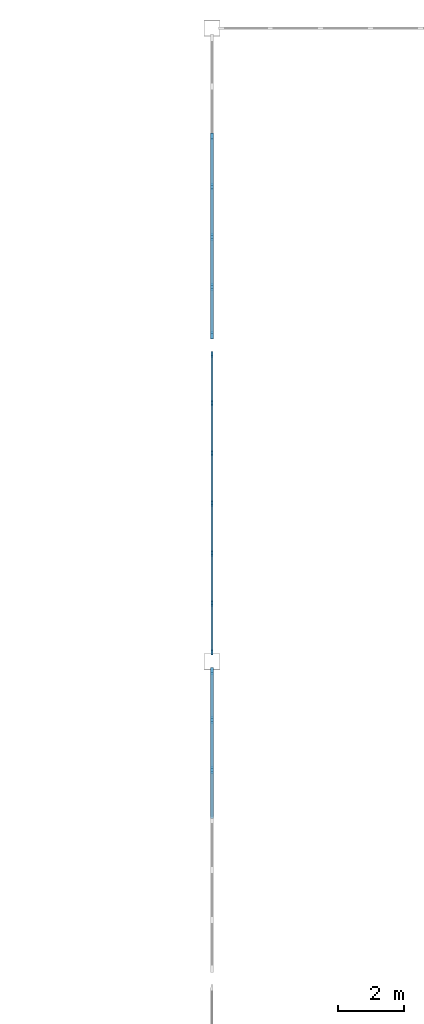
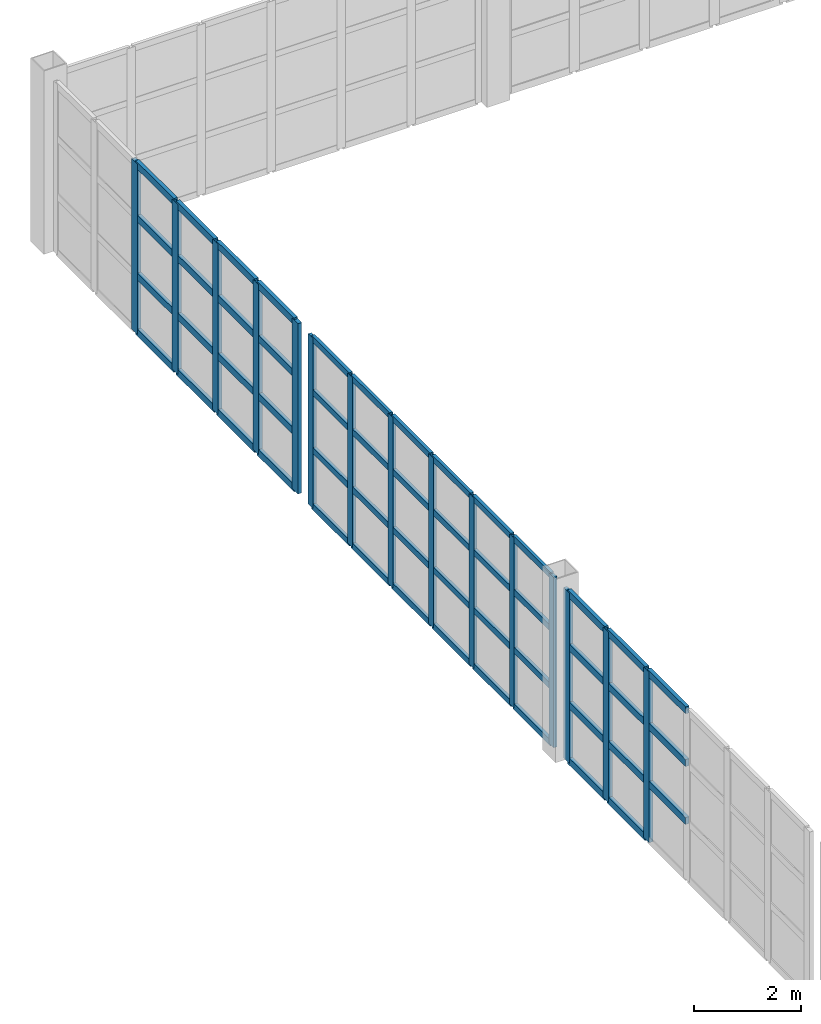
# One storey, part 33 of 82: 66 members, 3 elements without a shape of their own.
"""IFC4 building model written with IfcOpenShell, lengths in metres."""

from ifc_helpers import new_model, si_unit, direction, frame, origin, origin_2d, place, context, subcontext, project, spatial, rectangle, extrude, material, layer, layer_set, material_profile, profile_set, type_object, element, aggregate, save


model = new_model("IFC4")

# Units and contexts
model_context = context("Model", 3, precision=1e-05, world=origin(), true_north=direction((0.0, 1.0)))
body_context = subcontext(model_context, "Body", "Model", "MODEL_VIEW")
ifc_project = project(units=[si_unit("LENGTHUNIT", "METRE"), si_unit("AREAUNIT", "SQUARE_METRE"), si_unit("VOLUMEUNIT", "CUBIC_METRE"), si_unit("PLANEANGLEUNIT", "RADIAN"), si_unit("MASSUNIT", "GRAM", prefix="KILO")], contexts=[model_context])

# Site, building, storey
site_placement = place(None, origin())
site = spatial("IfcSite", under=ifc_project, at=site_placement, CompositionType="ELEMENT")
building_placement = place(site_placement, origin())
building = spatial("IfcBuilding", under=site, at=building_placement, Name="Zarnetskaya Central Station", CompositionType="ELEMENT")
storey_placement = place(building_placement, frame((0.0, 0.0, 10.199951171875)))
storey = spatial("IfcBuildingStorey", under=building, at=storey_placement, Name="L02", CompositionType="ELEMENT", Elevation=10.199951171875)

# Curtain wall, members
ifc_material_1 = material(Name="Low-E insulated glass", Category="glass")
ifc_layer = layer(ifc_material_1, 0.1640625, Name="Low-E insulated glass", Category="glass")
ifc_layer_set = layer_set([ifc_layer], Name="Low-E insulated glass")
curtain_wall_type = type_object("IfcCurtainWallType", Name="CW-SYS-12", PredefinedType="USERDEFINED", material=ifc_layer_set)
curtain_wall_1_placement = place(storey_placement, origin())
curtain_wall_1 = element("IfcCurtainWall", 1, at=curtain_wall_1_placement, inside=storey, type_object=curtain_wall_type, Name="Curtain wall CW-L02-167", ObjectType="CURTAIN WALL", PredefinedType="USERDEFINED")
ifc_material_2 = material(Name="Anodised aluminium", Category="aluminium")
ifc_material_profile_1 = material_profile(ifc_material_2, rectangle(XDim=0.070068359375, YDim=0.179931640625, at=origin_2d()), Name="ALU MULL 70x180")
ifc_profile_set_1 = profile_set([ifc_material_profile_1], Name="Anodised aluminium")
member_type_1 = type_object("IfcMemberType", Name="CW-MULL-180", PredefinedType="MULLION", material=ifc_profile_set_1)
member_1_placement = place(storey_placement, frame((57.60009765625, 105.885009765625, 0.0), z_axis=(0.0, 0.0, 1.0), x_axis=(-1.0, 0.0, 0.0)))
member_1 = element("IfcMember", 2, at=member_1_placement, type_object=member_type_1, Name="CW-18 mullion 1", PredefinedType="MULLION", context=body_context, shape_type="SweptSolid", body=[
    extrude(rectangle(XDim=0.070068359375, YDim=0.179931640625, at=origin_2d()), origin(), (0.0, 0.0, 1.0), 3.900146484375),
])
member_2_placement = place(storey_placement, frame((57.60009765625, 107.36669921875, 0.0), z_axis=(0.0, 0.0, 1.0), x_axis=(-1.0, 0.0, 0.0)))
member_2 = element("IfcMember", 3, at=member_2_placement, type_object=member_type_1, Name="CW-18 mullion 2", PredefinedType="MULLION", context=body_context, shape_type="SweptSolid", body=[
    extrude(rectangle(XDim=0.070068359375, YDim=0.179931640625, at=origin_2d()), origin(), (0.0, 0.0, 1.0), 3.900146484375),
])
member_3_placement = place(storey_placement, frame((57.60009765625, 108.88330078125, 0.0), z_axis=(0.0, 0.0, 1.0), x_axis=(-1.0, 0.0, 0.0)))
member_3 = element("IfcMember", 4, at=member_3_placement, type_object=member_type_1, Name="CW-18 mullion 3", PredefinedType="MULLION", context=body_context, shape_type="SweptSolid", body=[
    extrude(rectangle(XDim=0.070068359375, YDim=0.179931640625, at=origin_2d()), origin(), (0.0, 0.0, 1.0), 3.900146484375),
])
member_4_placement = place(storey_placement, frame((57.60009765625, 110.39990234375, 0.0), z_axis=(0.0, 0.0, 1.0), x_axis=(-1.0, 0.0, 0.0)))
member_4 = element("IfcMember", 5, at=member_4_placement, type_object=member_type_1, Name="CW-18 mullion 4", PredefinedType="MULLION", context=body_context, shape_type="SweptSolid", body=[
    extrude(rectangle(XDim=0.070068359375, YDim=0.179931640625, at=origin_2d()), origin(), (0.0, 0.0, 1.0), 3.900146484375),
])
member_5_placement = place(storey_placement, frame((57.60009765625, 111.916748046875, 0.0), z_axis=(0.0, 0.0, 1.0), x_axis=(-1.0, 0.0, 0.0)))
member_5 = element("IfcMember", 6, at=member_5_placement, type_object=member_type_1, Name="CW-18 mullion 5", PredefinedType="MULLION", context=body_context, shape_type="SweptSolid", body=[
    extrude(rectangle(XDim=0.070068359375, YDim=0.179931640625, at=origin_2d()), origin(), (0.0, 0.0, 1.0), 3.900146484375),
])
member_6_placement = place(storey_placement, frame((57.60009765625, 113.433349609375, 0.0), z_axis=(0.0, 0.0, 1.0), x_axis=(-1.0, 0.0, 0.0)))
member_6 = element("IfcMember", 7, at=member_6_placement, type_object=member_type_1, Name="CW-18 mullion 6", PredefinedType="MULLION", context=body_context, shape_type="SweptSolid", body=[
    extrude(rectangle(XDim=0.070068359375, YDim=0.179931640625, at=origin_2d()), origin(), (0.0, 0.0, 1.0), 3.900146484375),
])
member_7_placement = place(storey_placement, frame((57.60009765625, 114.9150390625, 0.0), z_axis=(0.0, 0.0, 1.0), x_axis=(-1.0, 0.0, 0.0)))
member_7 = element("IfcMember", 8, at=member_7_placement, type_object=member_type_1, Name="CW-18 mullion 7", PredefinedType="MULLION", context=body_context, shape_type="SweptSolid", body=[
    extrude(rectangle(XDim=0.070068359375, YDim=0.179931640625, at=origin_2d()), origin(), (0.0, 0.0, 1.0), 3.900146484375),
])

curtain_wall_2_placement = place(storey_placement, origin())
curtain_wall_2 = element("IfcCurtainWall", 9, at=curtain_wall_2_placement, inside=storey, type_object=curtain_wall_type, Name="Curtain wall CW-L02-166", ObjectType="CURTAIN WALL", PredefinedType="USERDEFINED")
ifc_material_profile_2 = material_profile(ifc_material_2, rectangle(XDim=0.080078125, YDim=0.219970703125, at=origin_2d()), Name="ALU MULL 80x220")
ifc_profile_set_2 = profile_set([ifc_material_profile_2], Name="Anodised aluminium")
member_type_2 = type_object("IfcMemberType", Name="CW-MULL-220", PredefinedType="MULLION", material=ifc_profile_set_2)
member_8_placement = place(storey_placement, frame((57.60009765625, 102.316650390625, 0.0), z_axis=(0.0, 0.0, 1.0), x_axis=(-1.0, 0.0, 0.0)))
member_8 = element("IfcMember", 10, at=member_8_placement, type_object=member_type_2, Name="CW-18 mullion 5", PredefinedType="MULLION", context=body_context, shape_type="SweptSolid", body=[
    extrude(rectangle(XDim=0.080078125, YDim=0.219970703125, at=origin_2d()), origin(), (0.0, 0.0, 1.0), 3.900146484375),
])
member_9_placement = place(storey_placement, frame((57.60009765625, 103.833251953125, 0.0), z_axis=(0.0, 0.0, 1.0), x_axis=(-1.0, 0.0, 0.0)))
member_9 = element("IfcMember", 11, at=member_9_placement, type_object=member_type_2, Name="CW-18 mullion 6", PredefinedType="MULLION", context=body_context, shape_type="SweptSolid", body=[
    extrude(rectangle(XDim=0.080078125, YDim=0.219970703125, at=origin_2d()), origin(), (0.0, 0.0, 1.0), 3.900146484375),
])
member_10_placement = place(storey_placement, frame((57.60009765625, 105.31005859375, 0.0), z_axis=(0.0, 0.0, 1.0), x_axis=(-1.0, 0.0, 0.0)))
member_10 = element("IfcMember", 12, at=member_10_placement, type_object=member_type_2, Name="CW-18 mullion 7", PredefinedType="MULLION", context=body_context, shape_type="SweptSolid", body=[
    extrude(rectangle(XDim=0.080078125, YDim=0.219970703125, at=origin_2d()), origin(), (0.0, 0.0, 1.0), 3.900146484375),
])

curtain_wall_3_placement = place(storey_placement, origin())
curtain_wall_3 = element("IfcCurtainWall", 13, at=curtain_wall_3_placement, inside=storey, type_object=curtain_wall_type, Name="Curtain wall CW-L02-168", ObjectType="CURTAIN WALL", PredefinedType="USERDEFINED")
member_11_placement = place(storey_placement, frame((57.60009765625, 115.489990234375, 0.0), z_axis=(0.0, 0.0, 1.0), x_axis=(-1.0, 0.0, 0.0)))
member_11 = element("IfcMember", 14, at=member_11_placement, type_object=member_type_2, Name="CW-18 mullion 1", PredefinedType="MULLION", context=body_context, shape_type="SweptSolid", body=[
    extrude(rectangle(XDim=0.080078125, YDim=0.219970703125, at=origin_2d()), origin(), (0.0, 0.0, 1.0), 3.900146484375),
])
member_12_placement = place(storey_placement, frame((57.60009765625, 116.966552734375, 0.0), z_axis=(0.0, 0.0, 1.0), x_axis=(-1.0, 0.0, 0.0)))
member_12 = element("IfcMember", 15, at=member_12_placement, type_object=member_type_2, Name="CW-18 mullion 2", PredefinedType="MULLION", context=body_context, shape_type="SweptSolid", body=[
    extrude(rectangle(XDim=0.080078125, YDim=0.219970703125, at=origin_2d()), origin(), (0.0, 0.0, 1.0), 3.900146484375),
])
member_13_placement = place(storey_placement, frame((57.60009765625, 118.4833984375, 0.0), z_axis=(0.0, 0.0, 1.0), x_axis=(-1.0, 0.0, 0.0)))
member_13 = element("IfcMember", 16, at=member_13_placement, type_object=member_type_2, Name="CW-18 mullion 3", PredefinedType="MULLION", context=body_context, shape_type="SweptSolid", body=[
    extrude(rectangle(XDim=0.080078125, YDim=0.219970703125, at=origin_2d()), origin(), (0.0, 0.0, 1.0), 3.900146484375),
])
member_14_placement = place(storey_placement, frame((57.60009765625, 120.0, 0.0), z_axis=(0.0, 0.0, 1.0), x_axis=(-1.0, 0.0, 0.0)))
member_14 = element("IfcMember", 17, at=member_14_placement, type_object=member_type_2, Name="CW-18 mullion 4", PredefinedType="MULLION", context=body_context, shape_type="SweptSolid", body=[
    extrude(rectangle(XDim=0.080078125, YDim=0.219970703125, at=origin_2d()), origin(), (0.0, 0.0, 1.0), 3.900146484375),
])
member_15_placement = place(storey_placement, frame((57.60009765625, 121.5166015625, 0.0), z_axis=(0.0, 0.0, 1.0), x_axis=(-1.0, 0.0, 0.0)))
member_15 = element("IfcMember", 18, at=member_15_placement, type_object=member_type_2, Name="CW-18 mullion 5", PredefinedType="MULLION", context=body_context, shape_type="SweptSolid", body=[
    extrude(rectangle(XDim=0.080078125, YDim=0.219970703125, at=origin_2d()), origin(), (0.0, 0.0, 1.0), 3.900146484375),
])

# Member
ifc_material_profile_3 = material_profile(ifc_material_2, rectangle(XDim=0.070068359375, YDim=0.139892578125, at=origin_2d()), Name="ALU TRAN 70x140")
ifc_profile_set_3 = profile_set([ifc_material_profile_3], Name="Anodised aluminium")
member_type_3 = type_object("IfcMemberType", Name="CW-TRAN-140", PredefinedType="USERDEFINED", material=ifc_profile_set_3)
member_16_placement = place(storey_placement, frame((57.60009765625, 105.919921875, 0.03515625), z_axis=(0.0, 1.0, 0.0), x_axis=(-1.0, 0.0, 0.0)))
member_16 = element("IfcMember", 19, at=member_16_placement, type_object=member_type_3, Name="CW-18 transom 1.1", ObjectType="TRANSOM", PredefinedType="USERDEFINED", context=body_context, shape_type="SweptSolid", body=[
    extrude(rectangle(XDim=0.070068359375, YDim=0.139892578125, at=origin_2d()), origin(), (0.0, 0.0, 1.0), 1.411865234375),
])

member_17_placement = place(storey_placement, frame((57.60009765625, 105.919921875, 1.325927734375), z_axis=(0.0, 1.0, 0.0), x_axis=(-1.0, 0.0, 0.0)))
member_17 = element("IfcMember", 20, at=member_17_placement, type_object=member_type_3, Name="CW-18 transom 1.2", ObjectType="TRANSOM", PredefinedType="USERDEFINED", context=body_context, shape_type="SweptSolid", body=[
    extrude(rectangle(XDim=0.070068359375, YDim=0.139892578125, at=origin_2d()), origin(), (0.0, 0.0, 1.0), 1.411865234375),
])

member_18_placement = place(storey_placement, frame((57.60009765625, 105.919921875, 2.652099609375), z_axis=(0.0, 1.0, 0.0), x_axis=(-1.0, 0.0, 0.0)))
member_18 = element("IfcMember", 21, at=member_18_placement, type_object=member_type_3, Name="CW-18 transom 1.3", ObjectType="TRANSOM", PredefinedType="USERDEFINED", context=body_context, shape_type="SweptSolid", body=[
    extrude(rectangle(XDim=0.070068359375, YDim=0.139892578125, at=origin_2d()), origin(), (0.0, 0.0, 1.0), 1.411865234375),
])

member_19_placement = place(storey_placement, frame((57.60009765625, 105.919921875, 3.864990234375), z_axis=(0.0, 1.0, 0.0), x_axis=(-1.0, 0.0, 0.0)))
member_19 = element("IfcMember", 22, at=member_19_placement, type_object=member_type_3, Name="CW-18 transom 1.4", ObjectType="TRANSOM", PredefinedType="USERDEFINED", context=body_context, shape_type="SweptSolid", body=[
    extrude(rectangle(XDim=0.070068359375, YDim=0.139892578125, at=origin_2d()), origin(), (0.0, 0.0, 1.0), 1.411865234375),
])

member_20_placement = place(storey_placement, frame((57.60009765625, 107.401611328125, 0.03515625), z_axis=(0.0, 1.0, 0.0), x_axis=(-1.0, 0.0, 0.0)))
member_20 = element("IfcMember", 23, at=member_20_placement, type_object=member_type_3, Name="CW-18 transom 2.1", ObjectType="TRANSOM", PredefinedType="USERDEFINED", context=body_context, shape_type="SweptSolid", body=[
    extrude(rectangle(XDim=0.070068359375, YDim=0.139892578125, at=origin_2d()), origin(), (0.0, 0.0, 1.0), 1.44677734375),
])

member_21_placement = place(storey_placement, frame((57.60009765625, 107.401611328125, 1.325927734375), z_axis=(0.0, 1.0, 0.0), x_axis=(-1.0, 0.0, 0.0)))
member_21 = element("IfcMember", 24, at=member_21_placement, type_object=member_type_3, Name="CW-18 transom 2.2", ObjectType="TRANSOM", PredefinedType="USERDEFINED", context=body_context, shape_type="SweptSolid", body=[
    extrude(rectangle(XDim=0.070068359375, YDim=0.139892578125, at=origin_2d()), origin(), (0.0, 0.0, 1.0), 1.44677734375),
])

member_22_placement = place(storey_placement, frame((57.60009765625, 107.401611328125, 2.652099609375), z_axis=(0.0, 1.0, 0.0), x_axis=(-1.0, 0.0, 0.0)))
member_22 = element("IfcMember", 25, at=member_22_placement, type_object=member_type_3, Name="CW-18 transom 2.3", ObjectType="TRANSOM", PredefinedType="USERDEFINED", context=body_context, shape_type="SweptSolid", body=[
    extrude(rectangle(XDim=0.070068359375, YDim=0.139892578125, at=origin_2d()), origin(), (0.0, 0.0, 1.0), 1.44677734375),
])

member_23_placement = place(storey_placement, frame((57.60009765625, 107.401611328125, 3.864990234375), z_axis=(0.0, 1.0, 0.0), x_axis=(-1.0, 0.0, 0.0)))
member_23 = element("IfcMember", 26, at=member_23_placement, type_object=member_type_3, Name="CW-18 transom 2.4", ObjectType="TRANSOM", PredefinedType="USERDEFINED", context=body_context, shape_type="SweptSolid", body=[
    extrude(rectangle(XDim=0.070068359375, YDim=0.139892578125, at=origin_2d()), origin(), (0.0, 0.0, 1.0), 1.44677734375),
])

member_24_placement = place(storey_placement, frame((57.60009765625, 108.918212890625, 0.03515625), z_axis=(0.0, 1.0, 0.0), x_axis=(-1.0, 0.0, 0.0)))
member_24 = element("IfcMember", 27, at=member_24_placement, type_object=member_type_3, Name="CW-18 transom 3.1", ObjectType="TRANSOM", PredefinedType="USERDEFINED", context=body_context, shape_type="SweptSolid", body=[
    extrude(rectangle(XDim=0.070068359375, YDim=0.139892578125, at=origin_2d()), origin(), (0.0, 0.0, 1.0), 1.44677734375),
])

member_25_placement = place(storey_placement, frame((57.60009765625, 108.918212890625, 1.325927734375), z_axis=(0.0, 1.0, 0.0), x_axis=(-1.0, 0.0, 0.0)))
member_25 = element("IfcMember", 28, at=member_25_placement, type_object=member_type_3, Name="CW-18 transom 3.2", ObjectType="TRANSOM", PredefinedType="USERDEFINED", context=body_context, shape_type="SweptSolid", body=[
    extrude(rectangle(XDim=0.070068359375, YDim=0.139892578125, at=origin_2d()), origin(), (0.0, 0.0, 1.0), 1.44677734375),
])

member_26_placement = place(storey_placement, frame((57.60009765625, 108.918212890625, 2.652099609375), z_axis=(0.0, 1.0, 0.0), x_axis=(-1.0, 0.0, 0.0)))
member_26 = element("IfcMember", 29, at=member_26_placement, type_object=member_type_3, Name="CW-18 transom 3.3", ObjectType="TRANSOM", PredefinedType="USERDEFINED", context=body_context, shape_type="SweptSolid", body=[
    extrude(rectangle(XDim=0.070068359375, YDim=0.139892578125, at=origin_2d()), origin(), (0.0, 0.0, 1.0), 1.44677734375),
])

member_27_placement = place(storey_placement, frame((57.60009765625, 108.918212890625, 3.864990234375), z_axis=(0.0, 1.0, 0.0), x_axis=(-1.0, 0.0, 0.0)))
member_27 = element("IfcMember", 30, at=member_27_placement, type_object=member_type_3, Name="CW-18 transom 3.4", ObjectType="TRANSOM", PredefinedType="USERDEFINED", context=body_context, shape_type="SweptSolid", body=[
    extrude(rectangle(XDim=0.070068359375, YDim=0.139892578125, at=origin_2d()), origin(), (0.0, 0.0, 1.0), 1.44677734375),
])

member_28_placement = place(storey_placement, frame((57.60009765625, 110.43505859375, 0.03515625), z_axis=(0.0, 1.0, 0.0), x_axis=(-1.0, 0.0, 0.0)))
member_28 = element("IfcMember", 31, at=member_28_placement, type_object=member_type_3, Name="CW-18 transom 4.1", ObjectType="TRANSOM", PredefinedType="USERDEFINED", context=body_context, shape_type="SweptSolid", body=[
    extrude(rectangle(XDim=0.070068359375, YDim=0.139892578125, at=origin_2d()), origin(), (0.0, 0.0, 1.0), 1.446533203125),
])

member_29_placement = place(storey_placement, frame((57.60009765625, 110.43505859375, 1.325927734375), z_axis=(0.0, 1.0, 0.0), x_axis=(-1.0, 0.0, 0.0)))
member_29 = element("IfcMember", 32, at=member_29_placement, type_object=member_type_3, Name="CW-18 transom 4.2", ObjectType="TRANSOM", PredefinedType="USERDEFINED", context=body_context, shape_type="SweptSolid", body=[
    extrude(rectangle(XDim=0.070068359375, YDim=0.139892578125, at=origin_2d()), origin(), (0.0, 0.0, 1.0), 1.446533203125),
])

member_30_placement = place(storey_placement, frame((57.60009765625, 110.43505859375, 2.652099609375), z_axis=(0.0, 1.0, 0.0), x_axis=(-1.0, 0.0, 0.0)))
member_30 = element("IfcMember", 33, at=member_30_placement, type_object=member_type_3, Name="CW-18 transom 4.3", ObjectType="TRANSOM", PredefinedType="USERDEFINED", context=body_context, shape_type="SweptSolid", body=[
    extrude(rectangle(XDim=0.070068359375, YDim=0.139892578125, at=origin_2d()), origin(), (0.0, 0.0, 1.0), 1.446533203125),
])

member_31_placement = place(storey_placement, frame((57.60009765625, 110.43505859375, 3.864990234375), z_axis=(0.0, 1.0, 0.0), x_axis=(-1.0, 0.0, 0.0)))
member_31 = element("IfcMember", 34, at=member_31_placement, type_object=member_type_3, Name="CW-18 transom 4.4", ObjectType="TRANSOM", PredefinedType="USERDEFINED", context=body_context, shape_type="SweptSolid", body=[
    extrude(rectangle(XDim=0.070068359375, YDim=0.139892578125, at=origin_2d()), origin(), (0.0, 0.0, 1.0), 1.446533203125),
])

member_32_placement = place(storey_placement, frame((57.60009765625, 111.95166015625, 0.03515625), z_axis=(0.0, 1.0, 0.0), x_axis=(-1.0, 0.0, 0.0)))
member_32 = element("IfcMember", 35, at=member_32_placement, type_object=member_type_3, Name="CW-18 transom 5.1", ObjectType="TRANSOM", PredefinedType="USERDEFINED", context=body_context, shape_type="SweptSolid", body=[
    extrude(rectangle(XDim=0.070068359375, YDim=0.139892578125, at=origin_2d()), origin(), (0.0, 0.0, 1.0), 1.44677734375),
])

member_33_placement = place(storey_placement, frame((57.60009765625, 111.95166015625, 1.325927734375), z_axis=(0.0, 1.0, 0.0), x_axis=(-1.0, 0.0, 0.0)))
member_33 = element("IfcMember", 36, at=member_33_placement, type_object=member_type_3, Name="CW-18 transom 5.2", ObjectType="TRANSOM", PredefinedType="USERDEFINED", context=body_context, shape_type="SweptSolid", body=[
    extrude(rectangle(XDim=0.070068359375, YDim=0.139892578125, at=origin_2d()), origin(), (0.0, 0.0, 1.0), 1.44677734375),
])

member_34_placement = place(storey_placement, frame((57.60009765625, 111.95166015625, 2.652099609375), z_axis=(0.0, 1.0, 0.0), x_axis=(-1.0, 0.0, 0.0)))
member_34 = element("IfcMember", 37, at=member_34_placement, type_object=member_type_3, Name="CW-18 transom 5.3", ObjectType="TRANSOM", PredefinedType="USERDEFINED", context=body_context, shape_type="SweptSolid", body=[
    extrude(rectangle(XDim=0.070068359375, YDim=0.139892578125, at=origin_2d()), origin(), (0.0, 0.0, 1.0), 1.44677734375),
])

member_35_placement = place(storey_placement, frame((57.60009765625, 111.95166015625, 3.864990234375), z_axis=(0.0, 1.0, 0.0), x_axis=(-1.0, 0.0, 0.0)))
member_35 = element("IfcMember", 38, at=member_35_placement, type_object=member_type_3, Name="CW-18 transom 5.4", ObjectType="TRANSOM", PredefinedType="USERDEFINED", context=body_context, shape_type="SweptSolid", body=[
    extrude(rectangle(XDim=0.070068359375, YDim=0.139892578125, at=origin_2d()), origin(), (0.0, 0.0, 1.0), 1.44677734375),
])

member_36_placement = place(storey_placement, frame((57.60009765625, 113.46826171875, 0.03515625), z_axis=(0.0, 1.0, 0.0), x_axis=(-1.0, 0.0, 0.0)))
member_36 = element("IfcMember", 39, at=member_36_placement, type_object=member_type_3, Name="CW-18 transom 6.1", ObjectType="TRANSOM", PredefinedType="USERDEFINED", context=body_context, shape_type="SweptSolid", body=[
    extrude(rectangle(XDim=0.070068359375, YDim=0.139892578125, at=origin_2d()), origin(), (0.0, 0.0, 1.0), 1.41162109375),
])

member_37_placement = place(storey_placement, frame((57.60009765625, 113.46826171875, 1.325927734375), z_axis=(0.0, 1.0, 0.0), x_axis=(-1.0, 0.0, 0.0)))
member_37 = element("IfcMember", 40, at=member_37_placement, type_object=member_type_3, Name="CW-18 transom 6.2", ObjectType="TRANSOM", PredefinedType="USERDEFINED", context=body_context, shape_type="SweptSolid", body=[
    extrude(rectangle(XDim=0.070068359375, YDim=0.139892578125, at=origin_2d()), origin(), (0.0, 0.0, 1.0), 1.41162109375),
])

member_38_placement = place(storey_placement, frame((57.60009765625, 113.46826171875, 2.652099609375), z_axis=(0.0, 1.0, 0.0), x_axis=(-1.0, 0.0, 0.0)))
member_38 = element("IfcMember", 41, at=member_38_placement, type_object=member_type_3, Name="CW-18 transom 6.3", ObjectType="TRANSOM", PredefinedType="USERDEFINED", context=body_context, shape_type="SweptSolid", body=[
    extrude(rectangle(XDim=0.070068359375, YDim=0.139892578125, at=origin_2d()), origin(), (0.0, 0.0, 1.0), 1.41162109375),
])

member_39_placement = place(storey_placement, frame((57.60009765625, 113.46826171875, 3.864990234375), z_axis=(0.0, 1.0, 0.0), x_axis=(-1.0, 0.0, 0.0)))
member_39 = element("IfcMember", 42, at=member_39_placement, type_object=member_type_3, Name="CW-18 transom 6.4", ObjectType="TRANSOM", PredefinedType="USERDEFINED", context=body_context, shape_type="SweptSolid", body=[
    extrude(rectangle(XDim=0.070068359375, YDim=0.139892578125, at=origin_2d()), origin(), (0.0, 0.0, 1.0), 1.41162109375),
])

aggregate(curtain_wall_1, [member_1, member_2, member_3, member_4, member_5, member_6, member_7, member_16, member_17, member_18, member_19, member_20, member_21, member_22, member_23, member_24, member_25, member_26, member_27, member_28, member_29, member_30, member_31, member_32, member_33, member_34, member_35, member_36, member_37, member_38, member_39])

ifc_material_profile_4 = material_profile(ifc_material_2, rectangle(XDim=0.080078125, YDim=0.159912109375, at=origin_2d()), Name="ALU TRAN 80x160")
ifc_profile_set_4 = profile_set([ifc_material_profile_4], Name="Anodised aluminium")
member_type_4 = type_object("IfcMemberType", Name="CW-TRAN-160", PredefinedType="USERDEFINED", material=ifc_profile_set_4)
member_40_placement = place(storey_placement, frame((57.60009765625, 100.840087890625, 1.325927734375), z_axis=(0.0, 1.0, 0.0), x_axis=(-1.0, 0.0, 0.0)))
member_40 = element("IfcMember", 43, at=member_40_placement, type_object=member_type_4, Name="CW-18 transom 4.2", ObjectType="TRANSOM", PredefinedType="USERDEFINED", context=body_context, shape_type="SweptSolid", body=[
    extrude(rectangle(XDim=0.080078125, YDim=0.159912109375, at=origin_2d()), origin(), (0.0, 0.0, 1.0), 1.4365234375),
])

member_41_placement = place(storey_placement, frame((57.60009765625, 100.840087890625, 2.652099609375), z_axis=(0.0, 1.0, 0.0), x_axis=(-1.0, 0.0, 0.0)))
member_41 = element("IfcMember", 44, at=member_41_placement, type_object=member_type_4, Name="CW-18 transom 4.3", ObjectType="TRANSOM", PredefinedType="USERDEFINED", context=body_context, shape_type="SweptSolid", body=[
    extrude(rectangle(XDim=0.080078125, YDim=0.159912109375, at=origin_2d()), origin(), (0.0, 0.0, 1.0), 1.4365234375),
])

member_42_placement = place(storey_placement, frame((57.60009765625, 100.840087890625, 3.860107421875), z_axis=(0.0, 1.0, 0.0), x_axis=(-1.0, 0.0, 0.0)))
member_42 = element("IfcMember", 45, at=member_42_placement, type_object=member_type_4, Name="CW-18 transom 4.4", ObjectType="TRANSOM", PredefinedType="USERDEFINED", context=body_context, shape_type="SweptSolid", body=[
    extrude(rectangle(XDim=0.080078125, YDim=0.159912109375, at=origin_2d()), origin(), (0.0, 0.0, 1.0), 1.4365234375),
])

member_43_placement = place(storey_placement, frame((57.60009765625, 102.356689453125, 0.0400390625), z_axis=(0.0, 1.0, 0.0), x_axis=(-1.0, 0.0, 0.0)))
member_43 = element("IfcMember", 46, at=member_43_placement, type_object=member_type_4, Name="CW-18 transom 5.1", ObjectType="TRANSOM", PredefinedType="USERDEFINED", context=body_context, shape_type="SweptSolid", body=[
    extrude(rectangle(XDim=0.080078125, YDim=0.159912109375, at=origin_2d()), origin(), (0.0, 0.0, 1.0), 1.4365234375),
])

member_44_placement = place(storey_placement, frame((57.60009765625, 102.356689453125, 1.325927734375), z_axis=(0.0, 1.0, 0.0), x_axis=(-1.0, 0.0, 0.0)))
member_44 = element("IfcMember", 47, at=member_44_placement, type_object=member_type_4, Name="CW-18 transom 5.2", ObjectType="TRANSOM", PredefinedType="USERDEFINED", context=body_context, shape_type="SweptSolid", body=[
    extrude(rectangle(XDim=0.080078125, YDim=0.159912109375, at=origin_2d()), origin(), (0.0, 0.0, 1.0), 1.4365234375),
])

member_45_placement = place(storey_placement, frame((57.60009765625, 102.356689453125, 2.652099609375), z_axis=(0.0, 1.0, 0.0), x_axis=(-1.0, 0.0, 0.0)))
member_45 = element("IfcMember", 48, at=member_45_placement, type_object=member_type_4, Name="CW-18 transom 5.3", ObjectType="TRANSOM", PredefinedType="USERDEFINED", context=body_context, shape_type="SweptSolid", body=[
    extrude(rectangle(XDim=0.080078125, YDim=0.159912109375, at=origin_2d()), origin(), (0.0, 0.0, 1.0), 1.4365234375),
])

member_46_placement = place(storey_placement, frame((57.60009765625, 102.356689453125, 3.860107421875), z_axis=(0.0, 1.0, 0.0), x_axis=(-1.0, 0.0, 0.0)))
member_46 = element("IfcMember", 49, at=member_46_placement, type_object=member_type_4, Name="CW-18 transom 5.4", ObjectType="TRANSOM", PredefinedType="USERDEFINED", context=body_context, shape_type="SweptSolid", body=[
    extrude(rectangle(XDim=0.080078125, YDim=0.159912109375, at=origin_2d()), origin(), (0.0, 0.0, 1.0), 1.4365234375),
])

member_47_placement = place(storey_placement, frame((57.60009765625, 103.873291015625, 0.0400390625), z_axis=(0.0, 1.0, 0.0), x_axis=(-1.0, 0.0, 0.0)))
member_47 = element("IfcMember", 50, at=member_47_placement, type_object=member_type_4, Name="CW-18 transom 6.1", ObjectType="TRANSOM", PredefinedType="USERDEFINED", context=body_context, shape_type="SweptSolid", body=[
    extrude(rectangle(XDim=0.080078125, YDim=0.159912109375, at=origin_2d()), origin(), (0.0, 0.0, 1.0), 1.396728515625),
])

member_48_placement = place(storey_placement, frame((57.60009765625, 103.873291015625, 1.325927734375), z_axis=(0.0, 1.0, 0.0), x_axis=(-1.0, 0.0, 0.0)))
member_48 = element("IfcMember", 51, at=member_48_placement, type_object=member_type_4, Name="CW-18 transom 6.2", ObjectType="TRANSOM", PredefinedType="USERDEFINED", context=body_context, shape_type="SweptSolid", body=[
    extrude(rectangle(XDim=0.080078125, YDim=0.159912109375, at=origin_2d()), origin(), (0.0, 0.0, 1.0), 1.396728515625),
])

member_49_placement = place(storey_placement, frame((57.60009765625, 103.873291015625, 2.652099609375), z_axis=(0.0, 1.0, 0.0), x_axis=(-1.0, 0.0, 0.0)))
member_49 = element("IfcMember", 52, at=member_49_placement, type_object=member_type_4, Name="CW-18 transom 6.3", ObjectType="TRANSOM", PredefinedType="USERDEFINED", context=body_context, shape_type="SweptSolid", body=[
    extrude(rectangle(XDim=0.080078125, YDim=0.159912109375, at=origin_2d()), origin(), (0.0, 0.0, 1.0), 1.396728515625),
])

member_50_placement = place(storey_placement, frame((57.60009765625, 103.873291015625, 3.860107421875), z_axis=(0.0, 1.0, 0.0), x_axis=(-1.0, 0.0, 0.0)))
member_50 = element("IfcMember", 53, at=member_50_placement, type_object=member_type_4, Name="CW-18 transom 6.4", ObjectType="TRANSOM", PredefinedType="USERDEFINED", context=body_context, shape_type="SweptSolid", body=[
    extrude(rectangle(XDim=0.080078125, YDim=0.159912109375, at=origin_2d()), origin(), (0.0, 0.0, 1.0), 1.396728515625),
])

aggregate(curtain_wall_2, [member_8, member_9, member_10, member_40, member_41, member_42, member_43, member_44, member_45, member_46, member_47, member_48, member_49, member_50])

member_51_placement = place(storey_placement, frame((57.60009765625, 115.530029296875, 0.0400390625), z_axis=(0.0, 1.0, 0.0), x_axis=(-1.0, 0.0, 0.0)))
member_51 = element("IfcMember", 54, at=member_51_placement, type_object=member_type_4, Name="CW-18 transom 1.1", ObjectType="TRANSOM", PredefinedType="USERDEFINED", context=body_context, shape_type="SweptSolid", body=[
    extrude(rectangle(XDim=0.080078125, YDim=0.159912109375, at=origin_2d()), origin(), (0.0, 0.0, 1.0), 1.396728515625),
])

member_52_placement = place(storey_placement, frame((57.60009765625, 115.530029296875, 1.325927734375), z_axis=(0.0, 1.0, 0.0), x_axis=(-1.0, 0.0, 0.0)))
member_52 = element("IfcMember", 55, at=member_52_placement, type_object=member_type_4, Name="CW-18 transom 1.2", ObjectType="TRANSOM", PredefinedType="USERDEFINED", context=body_context, shape_type="SweptSolid", body=[
    extrude(rectangle(XDim=0.080078125, YDim=0.159912109375, at=origin_2d()), origin(), (0.0, 0.0, 1.0), 1.396728515625),
])

member_53_placement = place(storey_placement, frame((57.60009765625, 115.530029296875, 2.652099609375), z_axis=(0.0, 1.0, 0.0), x_axis=(-1.0, 0.0, 0.0)))
member_53 = element("IfcMember", 56, at=member_53_placement, type_object=member_type_4, Name="CW-18 transom 1.3", ObjectType="TRANSOM", PredefinedType="USERDEFINED", context=body_context, shape_type="SweptSolid", body=[
    extrude(rectangle(XDim=0.080078125, YDim=0.159912109375, at=origin_2d()), origin(), (0.0, 0.0, 1.0), 1.396728515625),
])

member_54_placement = place(storey_placement, frame((57.60009765625, 115.530029296875, 3.860107421875), z_axis=(0.0, 1.0, 0.0), x_axis=(-1.0, 0.0, 0.0)))
member_54 = element("IfcMember", 57, at=member_54_placement, type_object=member_type_4, Name="CW-18 transom 1.4", ObjectType="TRANSOM", PredefinedType="USERDEFINED", context=body_context, shape_type="SweptSolid", body=[
    extrude(rectangle(XDim=0.080078125, YDim=0.159912109375, at=origin_2d()), origin(), (0.0, 0.0, 1.0), 1.396728515625),
])

member_55_placement = place(storey_placement, frame((57.60009765625, 117.006591796875, 0.0400390625), z_axis=(0.0, 1.0, 0.0), x_axis=(-1.0, 0.0, 0.0)))
member_55 = element("IfcMember", 58, at=member_55_placement, type_object=member_type_4, Name="CW-18 transom 2.1", ObjectType="TRANSOM", PredefinedType="USERDEFINED", context=body_context, shape_type="SweptSolid", body=[
    extrude(rectangle(XDim=0.080078125, YDim=0.159912109375, at=origin_2d()), origin(), (0.0, 0.0, 1.0), 1.436767578125),
])

member_56_placement = place(storey_placement, frame((57.60009765625, 117.006591796875, 1.325927734375), z_axis=(0.0, 1.0, 0.0), x_axis=(-1.0, 0.0, 0.0)))
member_56 = element("IfcMember", 59, at=member_56_placement, type_object=member_type_4, Name="CW-18 transom 2.2", ObjectType="TRANSOM", PredefinedType="USERDEFINED", context=body_context, shape_type="SweptSolid", body=[
    extrude(rectangle(XDim=0.080078125, YDim=0.159912109375, at=origin_2d()), origin(), (0.0, 0.0, 1.0), 1.436767578125),
])

member_57_placement = place(storey_placement, frame((57.60009765625, 117.006591796875, 2.652099609375), z_axis=(0.0, 1.0, 0.0), x_axis=(-1.0, 0.0, 0.0)))
member_57 = element("IfcMember", 60, at=member_57_placement, type_object=member_type_4, Name="CW-18 transom 2.3", ObjectType="TRANSOM", PredefinedType="USERDEFINED", context=body_context, shape_type="SweptSolid", body=[
    extrude(rectangle(XDim=0.080078125, YDim=0.159912109375, at=origin_2d()), origin(), (0.0, 0.0, 1.0), 1.436767578125),
])

member_58_placement = place(storey_placement, frame((57.60009765625, 117.006591796875, 3.860107421875), z_axis=(0.0, 1.0, 0.0), x_axis=(-1.0, 0.0, 0.0)))
member_58 = element("IfcMember", 61, at=member_58_placement, type_object=member_type_4, Name="CW-18 transom 2.4", ObjectType="TRANSOM", PredefinedType="USERDEFINED", context=body_context, shape_type="SweptSolid", body=[
    extrude(rectangle(XDim=0.080078125, YDim=0.159912109375, at=origin_2d()), origin(), (0.0, 0.0, 1.0), 1.436767578125),
])

member_59_placement = place(storey_placement, frame((57.60009765625, 118.5234375, 0.0400390625), z_axis=(0.0, 1.0, 0.0), x_axis=(-1.0, 0.0, 0.0)))
member_59 = element("IfcMember", 62, at=member_59_placement, type_object=member_type_4, Name="CW-18 transom 3.1", ObjectType="TRANSOM", PredefinedType="USERDEFINED", context=body_context, shape_type="SweptSolid", body=[
    extrude(rectangle(XDim=0.080078125, YDim=0.159912109375, at=origin_2d()), origin(), (0.0, 0.0, 1.0), 1.4365234375),
])

member_60_placement = place(storey_placement, frame((57.60009765625, 118.5234375, 1.325927734375), z_axis=(0.0, 1.0, 0.0), x_axis=(-1.0, 0.0, 0.0)))
member_60 = element("IfcMember", 63, at=member_60_placement, type_object=member_type_4, Name="CW-18 transom 3.2", ObjectType="TRANSOM", PredefinedType="USERDEFINED", context=body_context, shape_type="SweptSolid", body=[
    extrude(rectangle(XDim=0.080078125, YDim=0.159912109375, at=origin_2d()), origin(), (0.0, 0.0, 1.0), 1.4365234375),
])

member_61_placement = place(storey_placement, frame((57.60009765625, 118.5234375, 2.652099609375), z_axis=(0.0, 1.0, 0.0), x_axis=(-1.0, 0.0, 0.0)))
member_61 = element("IfcMember", 64, at=member_61_placement, type_object=member_type_4, Name="CW-18 transom 3.3", ObjectType="TRANSOM", PredefinedType="USERDEFINED", context=body_context, shape_type="SweptSolid", body=[
    extrude(rectangle(XDim=0.080078125, YDim=0.159912109375, at=origin_2d()), origin(), (0.0, 0.0, 1.0), 1.4365234375),
])

member_62_placement = place(storey_placement, frame((57.60009765625, 118.5234375, 3.860107421875), z_axis=(0.0, 1.0, 0.0), x_axis=(-1.0, 0.0, 0.0)))
member_62 = element("IfcMember", 65, at=member_62_placement, type_object=member_type_4, Name="CW-18 transom 3.4", ObjectType="TRANSOM", PredefinedType="USERDEFINED", context=body_context, shape_type="SweptSolid", body=[
    extrude(rectangle(XDim=0.080078125, YDim=0.159912109375, at=origin_2d()), origin(), (0.0, 0.0, 1.0), 1.4365234375),
])

member_63_placement = place(storey_placement, frame((57.60009765625, 120.0400390625, 0.0400390625), z_axis=(0.0, 1.0, 0.0), x_axis=(-1.0, 0.0, 0.0)))
member_63 = element("IfcMember", 66, at=member_63_placement, type_object=member_type_4, Name="CW-18 transom 4.1", ObjectType="TRANSOM", PredefinedType="USERDEFINED", context=body_context, shape_type="SweptSolid", body=[
    extrude(rectangle(XDim=0.080078125, YDim=0.159912109375, at=origin_2d()), origin(), (0.0, 0.0, 1.0), 1.4365234375),
])

member_64_placement = place(storey_placement, frame((57.60009765625, 120.0400390625, 1.325927734375), z_axis=(0.0, 1.0, 0.0), x_axis=(-1.0, 0.0, 0.0)))
member_64 = element("IfcMember", 67, at=member_64_placement, type_object=member_type_4, Name="CW-18 transom 4.2", ObjectType="TRANSOM", PredefinedType="USERDEFINED", context=body_context, shape_type="SweptSolid", body=[
    extrude(rectangle(XDim=0.080078125, YDim=0.159912109375, at=origin_2d()), origin(), (0.0, 0.0, 1.0), 1.4365234375),
])

member_65_placement = place(storey_placement, frame((57.60009765625, 120.0400390625, 2.652099609375), z_axis=(0.0, 1.0, 0.0), x_axis=(-1.0, 0.0, 0.0)))
member_65 = element("IfcMember", 68, at=member_65_placement, type_object=member_type_4, Name="CW-18 transom 4.3", ObjectType="TRANSOM", PredefinedType="USERDEFINED", context=body_context, shape_type="SweptSolid", body=[
    extrude(rectangle(XDim=0.080078125, YDim=0.159912109375, at=origin_2d()), origin(), (0.0, 0.0, 1.0), 1.4365234375),
])

member_66_placement = place(storey_placement, frame((57.60009765625, 120.0400390625, 3.860107421875), z_axis=(0.0, 1.0, 0.0), x_axis=(-1.0, 0.0, 0.0)))
member_66 = element("IfcMember", 69, at=member_66_placement, type_object=member_type_4, Name="CW-18 transom 4.4", ObjectType="TRANSOM", PredefinedType="USERDEFINED", context=body_context, shape_type="SweptSolid", body=[
    extrude(rectangle(XDim=0.080078125, YDim=0.159912109375, at=origin_2d()), origin(), (0.0, 0.0, 1.0), 1.4365234375),
])

aggregate(curtain_wall_3, [member_11, member_12, member_13, member_14, member_15, member_51, member_52, member_53, member_54, member_55, member_56, member_57, member_58, member_59, member_60, member_61, member_62, member_63, member_64, member_65, member_66])

save(model, "model.ifc")
